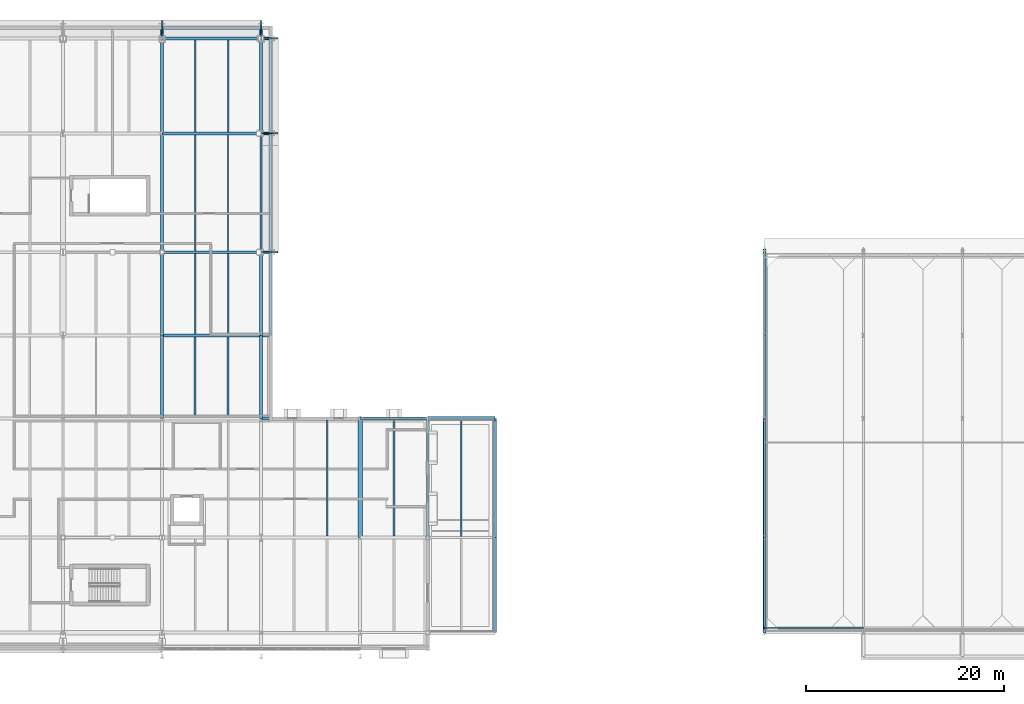
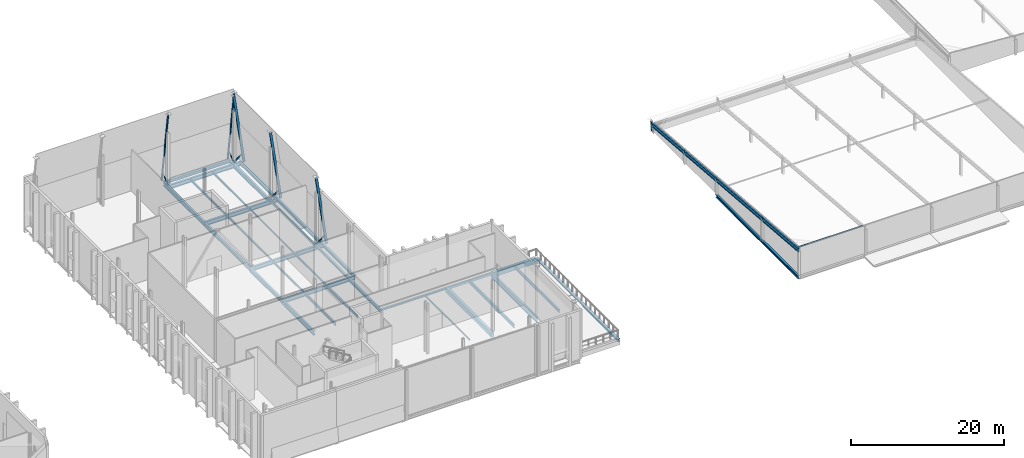
# One storey, part 36 of 79: 40 beams, 12 members.
"""IFC4 building model written with IfcOpenShell, lengths in metres."""

import ifcopenshell
import ifcopenshell.guid

model = None  # the IFC model being written
_history = None  # IfcOwnerHistory: only IFC2X3 demands one
_inside = {}  # id of a spatial element -> (the spatial element, [elements in it])
_under = {}  # id of a project, library or spatial element -> (it, [spatial elements below it])
_declared = {}  # id of a project -> (the project, [libraries it declares])
_typed = {}  # id of a type object -> (the type object, [elements of that type])
_made_of = {}  # id of a material, layer set ... -> (it, [elements and type objects made of it])


def new_model(schema):
    """Start an empty IFC model of exactly this schema.

    Asked for "IFC4X3", IfcOpenShell would pick the latest addendum, in which some entities
    have other attributes; the version numbers below select the first issue.
    IFC2X3 requires an IfcOwnerHistory on every rooted entity: one is made here for all.
    """
    global model, _history
    if schema == "IFC4X3":
        model = ifcopenshell.file(schema_version=(4, 3, 0, 0))
    else:
        model = ifcopenshell.file(schema=schema)
    _inside.clear()
    _under.clear()
    _declared.clear()
    _typed.clear()
    _made_of.clear()
    _history = None
    if model.schema == "IFC2X3":
        org = make("IfcOrganization", Name="unknown")
        user = make(
            "IfcPersonAndOrganization",
            ThePerson=make("IfcPerson", FamilyName="unknown"),
            TheOrganization=org,
        )
        app = make(
            "IfcApplication",
            ApplicationDeveloper=org,
            Version="unknown",
            ApplicationFullName="unknown",
            ApplicationIdentifier="unknown",
        )
        _history = make(
            "IfcOwnerHistory",
            OwningUser=user,
            OwningApplication=app,
            ChangeAction="ADDED",
            CreationDate=0,
        )
    return model


def make(cls, **values):
    """One entity of the class cls with the attributes given. An attribute that is None is left unset."""
    return model.create_entity(
        cls, **{name: value for name, value in values.items() if value is not None}
    )


def rooted(cls, **values):
    """An entity with a GlobalId (a new one), such as an element, a storey or a relation."""
    return make(cls, GlobalId=ifcopenshell.guid.new(), OwnerHistory=_history, **values)


def si_unit(unit_type, name, prefix=None):
    """IfcSIUnit, for example si_unit("LENGTHUNIT", "METRE", prefix="MILLI")."""
    return make("IfcSIUnit", UnitType=unit_type, Prefix=prefix, Name=name)


def assignment(units):
    """IfcUnitAssignment: the units of a project."""
    return None if units is None else make("IfcUnitAssignment", Units=units)


def point(xyz):
    """IfcCartesianPoint."""
    return None if xyz is None else make("IfcCartesianPoint", Coordinates=xyz)


def direction(xyz):
    """IfcDirection."""
    return None if xyz is None else make("IfcDirection", DirectionRatios=xyz)


def frame(location, z_axis=None, x_axis=None):
    """IfcAxis2Placement3D, a coordinate frame: its origin and axes. An axis left out is left unset."""
    return make(
        "IfcAxis2Placement3D",
        Location=point(location),
        Axis=direction(z_axis),
        RefDirection=direction(x_axis),
    )


def frame_2d(location, x_axis=None):
    """IfcAxis2Placement2D, a coordinate frame in the plane: its origin and x axis."""
    return make(
        "IfcAxis2Placement2D", Location=point(location), RefDirection=direction(x_axis)
    )


def origin():
    """The frame at (0, 0, 0) with its axes left unset."""
    return frame((0.0, 0.0, 0.0))


def origin_2d():
    """The frame at (0, 0) in the plane with its x axis left unset."""
    return frame_2d((0.0, 0.0))


def place(relative_to, where):
    """IfcLocalPlacement: puts the frame where relative to a parent placement (None: the world)."""
    return make(
        "IfcLocalPlacement", PlacementRelTo=relative_to, RelativePlacement=where
    )


def context(
    kind, dimensions, precision=None, world=None, true_north=None, identifier=None
):
    """IfcGeometricRepresentationContext, for example the 3D "Model" context."""
    return make(
        "IfcGeometricRepresentationContext",
        ContextIdentifier=identifier,
        ContextType=kind,
        CoordinateSpaceDimension=dimensions,
        Precision=precision,
        WorldCoordinateSystem=world,
        TrueNorth=true_north,
    )


def subcontext(parent, identifier, kind, view, scale=None):
    """IfcGeometricRepresentationSubContext, for example "Body" below "Model"."""
    return make(
        "IfcGeometricRepresentationSubContext",
        ContextIdentifier=identifier,
        ContextType=kind,
        ParentContext=parent,
        TargetScale=scale,
        TargetView=view,
    )


def project(units=None, contexts=None):
    """IfcProject with its units and contexts."""
    return rooted(
        "IfcProject",
        Name="project",
        RepresentationContexts=contexts,
        UnitsInContext=assignment(units),
    )


def spatial(cls, under=None, at=None, **own):
    """A site, building, storey or space (cls), placed at a placement, below another one or the project."""
    s = rooted(cls, ObjectPlacement=at, **own)
    if under is not None:
        _under.setdefault(under.id(), (under, []))[1].append(s)
    return s


def profile(cls, at=None, kind="AREA", **sizes):
    """A parametric profile (cls). Its sizes go by their IFC names, for example OverallWidth=200.0."""
    return make(cls, ProfileType=kind, Position=at, **sizes)


def rectangle(**sizes):
    """IfcRectangleProfileDef."""
    return profile("IfcRectangleProfileDef", **sizes)


def hollow_rectangle(**sizes):
    """IfcRectangleHollowProfileDef."""
    return profile("IfcRectangleHollowProfileDef", **sizes)


def i_section(**sizes):
    """IfcIShapeProfileDef."""
    return profile("IfcIShapeProfileDef", **sizes)


def extrude(swept, where, along, depth):
    """IfcExtrudedAreaSolid: the profile swept, set in the frame where, extruded along a direction by depth."""
    return make(
        "IfcExtrudedAreaSolid",
        SweptArea=swept,
        Position=where,
        ExtrudedDirection=direction(along),
        Depth=depth,
    )


def shape(context_of_items, identifier, shape_type, items):
    """IfcShapeRepresentation: the items that make up one representation, for example the "Body"."""
    return make(
        "IfcShapeRepresentation",
        ContextOfItems=context_of_items,
        RepresentationIdentifier=identifier,
        RepresentationType=shape_type,
        Items=items,
    )


def material(Name=None, Category=None):
    """IfcMaterial."""
    return make("IfcMaterial", Name=Name, Category=Category)


def material_profile(
    of_material, cross_section, Name=None, Category=None, Priority=None
):
    """IfcMaterialProfile: a cross section and its material."""
    return make(
        "IfcMaterialProfile",
        Name=Name,
        Material=of_material,
        Profile=cross_section,
        Priority=Priority,
        Category=Category,
    )


def profile_set(profiles, Name=None, composite=None):
    """IfcMaterialProfileSet."""
    return make(
        "IfcMaterialProfileSet",
        Name=Name,
        MaterialProfiles=profiles,
        CompositeProfile=composite,
    )


def made_of(thing, what):
    """Note that an element or type object is made of a material, layer set ...; save() writes the relation."""
    if what is not None:
        _made_of.setdefault(what.id(), (what, []))[1].append(thing)
    return thing


def type_object(cls, material=None, **own):
    """A type object (cls), such as IfcWallType, which elements share."""
    return made_of(rooted(cls, **own), material)


def element(
    cls,
    number,
    at=None,
    inside=None,
    cuts=None,
    type_object=None,
    material=None,
    context=None,
    identifier="Body",
    shape_type=None,
    held_by="IfcProductDefinitionShape",
    body=None,
    shapes=None,
    **own,
):
    """One element of the class cls, such as IfcWall. Its Tag is "e" and its number.

    at: its placement. inside: the storey or other place that contains it. cuts: it is an
    opening in that element (IfcRelVoidsElement). A single representation is given by context,
    identifier, shape_type and body (its items); several are given by shapes. held_by: the class
    of the entity that holds the representations. save() writes the other relations.
    """
    e = rooted(cls, Tag="e%d" % number, ObjectPlacement=at, **own)
    if body is not None:
        shapes = [shape(context, identifier, shape_type, body)]
    if shapes is not None:
        e.Representation = make(held_by, Representations=shapes)
    if inside is not None:
        _inside.setdefault(inside.id(), (inside, []))[1].append(e)
    if cuts is not None:
        rooted(
            "IfcRelVoidsElement", RelatingBuildingElement=cuts, RelatedOpeningElement=e
        )
    if type_object is not None:
        _typed.setdefault(type_object.id(), (type_object, []))[1].append(e)
    return made_of(e, material)


def aggregate(whole, parts):
    """IfcRelAggregates: a whole, such as a stair, and the parts it consists of."""
    return rooted("IfcRelAggregates", RelatingObject=whole, RelatedObjects=parts)


def save(model, path):
    """Write the relations noted so far, then the file.

    IfcRelAggregates (storeys below a building ...), IfcRelContainedInSpatialStructure (elements
    in a storey), IfcRelDefinesByType, IfcRelAssociatesMaterial and IfcRelDeclares: one each for
    every whole, place, type object, material and project.
    """
    for whole, parts in _under.values():
        aggregate(whole, parts)
    for where, things in _inside.values():
        rooted(
            "IfcRelContainedInSpatialStructure",
            RelatedElements=things,
            RelatingStructure=where,
        )
    for kind, things in _typed.values():
        rooted("IfcRelDefinesByType", RelatedObjects=things, RelatingType=kind)
    for what, things in _made_of.values():
        rooted("IfcRelAssociatesMaterial", RelatedObjects=things, RelatingMaterial=what)
    for by, libraries in _declared.values():
        rooted("IfcRelDeclares", RelatingContext=by, RelatedDefinitions=libraries)
    model.write(path)


model = new_model("IFC4")

# Units and contexts
model_context = context("Model", 3, precision=1e-05, world=origin(), true_north=direction((0.0, 1.0)))
body_context = subcontext(model_context, "Body", "Model", "MODEL_VIEW")
ifc_project = project(units=[si_unit("LENGTHUNIT", "METRE"), si_unit("AREAUNIT", "SQUARE_METRE"), si_unit("VOLUMEUNIT", "CUBIC_METRE"), si_unit("PLANEANGLEUNIT", "RADIAN"), si_unit("MASSUNIT", "GRAM", prefix="KILO")], contexts=[model_context])

# Site, building, storey
site_placement = place(None, origin())
site = spatial("IfcSite", under=ifc_project, at=site_placement, CompositionType="ELEMENT")
building_placement = place(site_placement, origin())
building = spatial("IfcBuilding", under=site, at=building_placement, Name="Zereglee Splitstone Museum", CompositionType="ELEMENT")
storey_placement = place(building_placement, frame((0.0, 0.0, 9.0)))
storey = spatial("IfcBuildingStorey", under=building, at=storey_placement, Name="L02", CompositionType="ELEMENT", Elevation=9.0)

# Beams
ifc_material_1 = material(Name="Concrete C40/50", Category="concrete")
ifc_material_profile_1 = material_profile(ifc_material_1, rectangle(XDim=0.449951171875, YDim=0.699951171875, at=origin_2d()), Name="RC 450x700")
ifc_profile_set_1 = profile_set([ifc_material_profile_1], Name="Concrete C40/50")
beam_type_1 = type_object("IfcBeamType", Name="BG-03", PredefinedType="BEAM", material=ifc_profile_set_1)
beam_1_placement = place(storey_placement, frame((215.199951171875, 9.60009765625, -0.669921875), z_axis=(0.0, 1.0, 0.0), x_axis=(-1.0, 0.0, 0.0)))
element("IfcBeam", 1, at=beam_1_placement, inside=storey, type_object=beam_type_1, Name="Primary Girder L02 24 (9.6-21.6)", PredefinedType="BEAM", context=body_context, shape_type="SweptSolid", body=[
    extrude(rectangle(XDim=0.449951171875, YDim=0.699951171875, at=origin_2d()), origin(), (0.0, 0.0, 1.0), 12.0),
])
ifc_material_2 = material(Name="Steel S355J2", Category="steel")
ifc_material_profile_2 = material_profile(ifc_material_2, i_section(OverallWidth=0.300048828125, OverallDepth=0.60009765625, WebThickness=0.015380859375, FlangeThickness=0.030029296875, FilletRadius=0.027099609375, at=origin_2d()), Name="HE 600 B")
ifc_profile_set_2 = profile_set([ifc_material_profile_2], Name="Steel S355J2")
beam_type_2 = type_object("IfcBeamType", Name="BG-10", PredefinedType="BEAM", material=ifc_profile_set_2)
beam_2_placement = place(storey_placement, frame((195.199951171875, 38.39990234375, -0.6201171875), z_axis=(0.0, 1.0, 0.0), x_axis=(-1.0, 0.0, 0.0)))
element("IfcBeam", 2, at=beam_2_placement, inside=storey, type_object=beam_type_2, Name="Primary Girder L02 22 (38.4-50.4)", PredefinedType="BEAM", context=body_context, shape_type="SweptSolid", body=[
    extrude(i_section(OverallWidth=0.300048828125, OverallDepth=0.60009765625, WebThickness=0.015380859375, FlangeThickness=0.030029296875, FilletRadius=0.027099609375, at=origin_2d()), origin(), (0.0, 0.0, 1.0), 12.0),
])
ifc_material_profile_3 = material_profile(ifc_material_2, i_section(OverallWidth=0.300048828125, OverallDepth=0.64990234375, WebThickness=0.01611328125, FlangeThickness=0.031005859375, FilletRadius=0.027099609375, at=origin_2d()), Name="HE 650 B")
ifc_profile_set_3 = profile_set([ifc_material_profile_3], Name="Steel S355J2")
beam_type_3 = type_object("IfcBeamType", Name="BG-09", PredefinedType="BEAM", material=ifc_profile_set_3)
for number, where, z_axis, x_axis, name in (
    (3, (195.199951171875, 30.0, -0.64501953125), (1.0, 0.0, 0.0), (0.0, 1.0, 0.0), "Primary Girder L02 D (195.2-206.2)"),
    (4, (195.199951171875, 38.39990234375, -0.64501953125), (1.0, 0.0, 0.0), (0.0, 1.0, 0.0), "Primary Girder L02 E (195.2-206.2)"),
    (5, (195.199951171875, 50.39990234375, -0.64501953125), (1.0, 0.0, 0.0), (0.0, 1.0, 0.0), "Primary Girder L02 F (195.2-206.2)"),
    (6, (195.199951171875, 60.0, -0.64501953125), (1.0, 0.0, 0.0), (0.0, 1.0, 0.0), "Primary Girder L02 G (195.2-206.2)"),
):
    element("IfcBeam", number, at=place(storey_placement, frame(where, z_axis=z_axis, x_axis=x_axis)), inside=storey, type_object=beam_type_3, Name=name, PredefinedType="BEAM", context=body_context, shape_type="SweptSolid", body=[
        extrude(i_section(OverallWidth=0.300048828125, OverallDepth=0.64990234375, WebThickness=0.01611328125, FlangeThickness=0.031005859375, FilletRadius=0.027099609375, at=origin_2d()), origin(), (0.0, 0.0, 1.0), 10.949951171875),
    ])
beam_3_placement = place(storey_placement, frame((195.199951171875, 30.0, -0.64501953125), z_axis=(0.0, 1.0, 0.0), x_axis=(-1.0, 0.0, 0.0)))
element("IfcBeam", 7, at=beam_3_placement, inside=storey, type_object=beam_type_3, Name="Primary Girder L02 22 (30.0-38.4)", PredefinedType="BEAM", context=body_context, shape_type="SweptSolid", body=[
    extrude(i_section(OverallWidth=0.300048828125, OverallDepth=0.64990234375, WebThickness=0.01611328125, FlangeThickness=0.031005859375, FilletRadius=0.027099609375, at=origin_2d()), origin(), (0.0, 0.0, 1.0), 8.39990234375),
])
for number, where, z_axis, x_axis, name in (
    (8, (195.199951171875, 50.39990234375, -0.64501953125), (0.0, 1.0, 0.0), (-1.0, 0.0, 0.0), "Primary Girder L02 22 (50.4-61.0)"),
    (9, (205.199951171875, 50.39990234375, -0.64501953125), (0.0, 1.0, 0.0), (-1.0, 0.0, 0.0), "Primary Girder L02 23 (50.4-61.0)"),
):
    element("IfcBeam", number, at=place(storey_placement, frame(where, z_axis=z_axis, x_axis=x_axis)), inside=storey, type_object=beam_type_3, Name=name, PredefinedType="BEAM", context=body_context, shape_type="SweptSolid", body=[
        extrude(i_section(OverallWidth=0.300048828125, OverallDepth=0.64990234375, WebThickness=0.01611328125, FlangeThickness=0.031005859375, FilletRadius=0.027099609375, at=origin_2d()), origin(), (0.0, 0.0, 1.0), 10.650146484375),
    ])
ifc_material_profile_4 = material_profile(ifc_material_2, i_section(OverallWidth=0.300048828125, OverallDepth=0.699951171875, WebThickness=0.01708984375, FlangeThickness=0.031982421875, FilletRadius=0.027099609375, at=origin_2d()), Name="HE 700 B")
ifc_profile_set_4 = profile_set([ifc_material_profile_4], Name="Steel S355J2")
beam_type_4 = type_object("IfcBeamType", Name="BG-08", PredefinedType="BEAM", material=ifc_profile_set_4)
beam_4_placement = place(storey_placement, frame((195.199951171875, 21.60009765625, -0.669921875), z_axis=(0.0, 1.0, 0.0), x_axis=(-1.0, 0.0, 0.0)))
element("IfcBeam", 10, at=beam_4_placement, inside=storey, type_object=beam_type_4, Name="Primary Girder L02 22 (21.6-30.0)", PredefinedType="BEAM", context=body_context, shape_type="SweptSolid", body=[
    extrude(i_section(OverallWidth=0.300048828125, OverallDepth=0.699951171875, WebThickness=0.01708984375, FlangeThickness=0.031982421875, FilletRadius=0.027099609375, at=origin_2d()), origin(), (0.0, 0.0, 1.0), 8.39990234375),
])
ifc_material_profile_5 = material_profile(ifc_material_2, i_section(OverallWidth=0.300048828125, OverallDepth=0.800048828125, WebThickness=0.017578125, FlangeThickness=0.032958984375, FilletRadius=0.030029296875, at=origin_2d()), Name="HE 800 B")
ifc_profile_set_5 = profile_set([ifc_material_profile_5], Name="Steel S355J2")
beam_type_5 = type_object("IfcBeamType", Name="BG-07", PredefinedType="BEAM", material=ifc_profile_set_5)
beam_5_placement = place(storey_placement, frame((222.0, 9.60009765625, -0.719970703125), z_axis=(0.0, 1.0, 0.0), x_axis=(-1.0, 0.0, 0.0)))
element("IfcBeam", 11, at=beam_5_placement, inside=storey, type_object=beam_type_5, Name="Primary Girder L02 25 (9.6-21.6)", PredefinedType="BEAM", context=body_context, shape_type="SweptSolid", body=[
    extrude(i_section(OverallWidth=0.300048828125, OverallDepth=0.800048828125, WebThickness=0.017578125, FlangeThickness=0.032958984375, FilletRadius=0.030029296875, at=origin_2d()), origin(), (0.0, 0.0, 1.0), 12.0),
])
ifc_material_profile_6 = material_profile(ifc_material_2, i_section(OverallWidth=0.1201171875, OverallDepth=0.239990234375, WebThickness=0.006103515625, FlangeThickness=0.009765625, FilletRadius=0.014892578125, at=origin_2d()), Name="IPE 240")
ifc_profile_set_6 = profile_set([ifc_material_profile_6], Name="Steel S355J2")
beam_type_6 = type_object("IfcBeamType", Name="BJ-07", PredefinedType="JOIST", material=ifc_profile_set_6)
beam_6_placement = place(storey_placement, frame((211.86669921875, 9.75, -0.43994140625), z_axis=(0.0, 1.0, 0.0), x_axis=(-1.0, 0.0, 0.0)))
element("IfcBeam", 12, at=beam_6_placement, inside=storey, type_object=beam_type_6, Name="Secondary Floor Joist L02-1070", PredefinedType="JOIST", context=body_context, shape_type="SweptSolid", body=[
    extrude(i_section(OverallWidth=0.1201171875, OverallDepth=0.239990234375, WebThickness=0.006103515625, FlangeThickness=0.009765625, FilletRadius=0.014892578125, at=origin_2d()), origin(), (0.0, 0.0, 1.0), 11.7099609375),
])
beam_7_placement = place(storey_placement, frame((201.86669921875, 38.550048828125, -0.43994140625), z_axis=(0.0, 1.0, 0.0), x_axis=(-1.0, 0.0, 0.0)))
element("IfcBeam", 13, at=beam_7_placement, inside=storey, type_object=beam_type_6, Name="Secondary Floor Joist L02-1133", PredefinedType="JOIST", context=body_context, shape_type="SweptSolid", body=[
    extrude(i_section(OverallWidth=0.1201171875, OverallDepth=0.239990234375, WebThickness=0.006103515625, FlangeThickness=0.009765625, FilletRadius=0.014892578125, at=origin_2d()), origin(), (0.0, 0.0, 1.0), 11.699951171875),
])
ifc_material_profile_7 = material_profile(ifc_material_2, i_section(OverallWidth=0.14990234375, OverallDepth=0.300048828125, WebThickness=0.007080078125, FlangeThickness=0.0107421875, FilletRadius=0.014892578125, at=origin_2d()), Name="IPE 300")
ifc_profile_set_7 = profile_set([ifc_material_profile_7], Name="Steel S355J2")
beam_type_7 = type_object("IfcBeamType", Name="BJ-06", PredefinedType="JOIST", material=ifc_profile_set_7)
beam_8_placement = place(storey_placement, frame((201.86669921875, 30.14990234375, -0.469970703125), z_axis=(0.0, 1.0, 0.0), x_axis=(-1.0, 0.0, 0.0)))
element("IfcBeam", 14, at=beam_8_placement, inside=storey, type_object=beam_type_7, Name="Secondary Floor Joist L02-1118", PredefinedType="JOIST", context=body_context, shape_type="SweptSolid", body=[
    extrude(i_section(OverallWidth=0.14990234375, OverallDepth=0.300048828125, WebThickness=0.007080078125, FlangeThickness=0.0107421875, FilletRadius=0.014892578125, at=origin_2d()), origin(), (0.0, 0.0, 1.0), 8.10009765625),
])
beam_9_placement = place(storey_placement, frame((198.533203125, 38.550048828125, -0.469970703125), z_axis=(0.0, 1.0, 0.0), x_axis=(-1.0, 0.0, 0.0)))
element("IfcBeam", 15, at=beam_9_placement, inside=storey, type_object=beam_type_7, Name="Secondary Floor Joist L02-1132", PredefinedType="JOIST", context=body_context, shape_type="SweptSolid", body=[
    extrude(i_section(OverallWidth=0.14990234375, OverallDepth=0.300048828125, WebThickness=0.007080078125, FlangeThickness=0.0107421875, FilletRadius=0.014892578125, at=origin_2d()), origin(), (0.0, 0.0, 1.0), 11.699951171875),
])
beam_10_placement = place(storey_placement, frame((201.86669921875, 50.550048828125, -0.469970703125), z_axis=(0.0, 1.0, 0.0), x_axis=(-1.0, 0.0, 0.0)))
element("IfcBeam", 16, at=beam_10_placement, inside=storey, type_object=beam_type_7, Name="Secondary Floor Joist L02-1139", PredefinedType="JOIST", context=body_context, shape_type="SweptSolid", body=[
    extrude(i_section(OverallWidth=0.14990234375, OverallDepth=0.300048828125, WebThickness=0.007080078125, FlangeThickness=0.0107421875, FilletRadius=0.014892578125, at=origin_2d()), origin(), (0.0, 0.0, 1.0), 9.300048828125),
])
ifc_material_profile_8 = material_profile(ifc_material_2, i_section(OverallWidth=0.159912109375, OverallDepth=0.330078125, WebThickness=0.007568359375, FlangeThickness=0.011474609375, FilletRadius=0.01806640625, at=origin_2d()), Name="IPE 330")
ifc_profile_set_8 = profile_set([ifc_material_profile_8], Name="Steel S355J2")
beam_type_8 = type_object("IfcBeamType", Name="BJ-05", PredefinedType="JOIST", material=ifc_profile_set_8)
beam_11_placement = place(storey_placement, frame((198.533203125, 30.14990234375, -0.485107421875), z_axis=(0.0, 1.0, 0.0), x_axis=(-1.0, 0.0, 0.0)))
element("IfcBeam", 17, at=beam_11_placement, inside=storey, type_object=beam_type_8, Name="Secondary Floor Joist L02-1117", PredefinedType="JOIST", context=body_context, shape_type="SweptSolid", body=[
    extrude(i_section(OverallWidth=0.159912109375, OverallDepth=0.330078125, WebThickness=0.007568359375, FlangeThickness=0.011474609375, FilletRadius=0.01806640625, at=origin_2d()), origin(), (0.0, 0.0, 1.0), 8.10009765625),
])
beam_12_placement = place(storey_placement, frame((198.533203125, 50.550048828125, -0.485107421875), z_axis=(0.0, 1.0, 0.0), x_axis=(-1.0, 0.0, 0.0)))
element("IfcBeam", 18, at=beam_12_placement, inside=storey, type_object=beam_type_8, Name="Secondary Floor Joist L02-1138", PredefinedType="JOIST", context=body_context, shape_type="SweptSolid", body=[
    extrude(i_section(OverallWidth=0.159912109375, OverallDepth=0.330078125, WebThickness=0.007568359375, FlangeThickness=0.011474609375, FilletRadius=0.01806640625, at=origin_2d()), origin(), (0.0, 0.0, 1.0), 9.300048828125),
])
ifc_material_profile_9 = material_profile(ifc_material_2, i_section(OverallWidth=0.179931640625, OverallDepth=0.39990234375, WebThickness=0.008544921875, FlangeThickness=0.013427734375, FilletRadius=0.02099609375, at=origin_2d()), Name="IPE 400")
ifc_profile_set_9 = profile_set([ifc_material_profile_9], Name="Steel S355J2")
beam_type_9 = type_object("IfcBeamType", Name="BJ-03", PredefinedType="JOIST", material=ifc_profile_set_9)
beam_13_placement = place(storey_placement, frame((201.86669921875, 21.75, -0.52001953125), z_axis=(0.0, 1.0, 0.0), x_axis=(-1.0, 0.0, 0.0)))
element("IfcBeam", 19, at=beam_13_placement, inside=storey, type_object=beam_type_9, Name="Secondary Floor Joist L02-1094", PredefinedType="JOIST", context=body_context, shape_type="SweptSolid", body=[
    extrude(i_section(OverallWidth=0.179931640625, OverallDepth=0.39990234375, WebThickness=0.008544921875, FlangeThickness=0.013427734375, FilletRadius=0.02099609375, at=origin_2d()), origin(), (0.0, 0.0, 1.0), 8.10009765625),
])
ifc_material_profile_10 = material_profile(ifc_material_2, i_section(OverallWidth=0.18994140625, OverallDepth=0.449951171875, WebThickness=0.009521484375, FlangeThickness=0.0146484375, FilletRadius=0.02099609375, at=origin_2d()), Name="IPE 450")
ifc_profile_set_10 = profile_set([ifc_material_profile_10], Name="Steel S355J2")
beam_type_10 = type_object("IfcBeamType", Name="BJ-02", PredefinedType="JOIST", material=ifc_profile_set_10)
beam_14_placement = place(storey_placement, frame((225.39990234375, 9.705078125, -0.544921875), z_axis=(0.0, 1.0, 0.0), x_axis=(-1.0, 0.0, 0.0)))
element("IfcBeam", 20, at=beam_14_placement, inside=storey, type_object=beam_type_10, Name="Secondary Floor Joist L02-1072", PredefinedType="JOIST", context=body_context, shape_type="SweptSolid", body=[
    extrude(i_section(OverallWidth=0.18994140625, OverallDepth=0.449951171875, WebThickness=0.009521484375, FlangeThickness=0.0146484375, FilletRadius=0.02099609375, at=origin_2d()), origin(), (0.0, 0.0, 1.0), 11.669921875),
])
beam_15_placement = place(storey_placement, frame((198.533203125, 21.75, -0.544921875), z_axis=(0.0, 1.0, 0.0), x_axis=(-1.0, 0.0, 0.0)))
element("IfcBeam", 21, at=beam_15_placement, inside=storey, type_object=beam_type_10, Name="Secondary Floor Joist L02-1093", PredefinedType="JOIST", context=body_context, shape_type="SweptSolid", body=[
    extrude(i_section(OverallWidth=0.18994140625, OverallDepth=0.449951171875, WebThickness=0.009521484375, FlangeThickness=0.0146484375, FilletRadius=0.02099609375, at=origin_2d()), origin(), (0.0, 0.0, 1.0), 8.10009765625),
])
ifc_material_profile_11 = material_profile(ifc_material_2, i_section(OverallWidth=0.199951171875, OverallDepth=0.5, WebThickness=0.01025390625, FlangeThickness=0.01611328125, FilletRadius=0.02099609375, at=origin_2d()), Name="IPE 500")
ifc_profile_set_11 = profile_set([ifc_material_profile_11], Name="Steel S355J2")
beam_type_11 = type_object("IfcBeamType", Name="BJ-01", PredefinedType="JOIST", material=ifc_profile_set_11)
beam_16_placement = place(storey_placement, frame((218.60009765625, 9.75, -0.570068359375), z_axis=(0.0, 1.0, 0.0), x_axis=(-1.0, 0.0, 0.0)))
element("IfcBeam", 22, at=beam_16_placement, inside=storey, type_object=beam_type_11, Name="Secondary Floor Joist L02-1071", PredefinedType="JOIST", context=body_context, shape_type="SweptSolid", body=[
    extrude(i_section(OverallWidth=0.199951171875, OverallDepth=0.5, WebThickness=0.01025390625, FlangeThickness=0.01611328125, FilletRadius=0.02099609375, at=origin_2d()), origin(), (0.0, 0.0, 1.0), 11.75),
])

# Member
ifc_material_profile_12 = material_profile(ifc_material_2, i_section(OverallWidth=0.110107421875, OverallDepth=0.219970703125, WebThickness=0.005859375, FlangeThickness=0.00927734375, FilletRadius=0.011962890625, at=origin_2d()), Name="IPE 220")
ifc_profile_set_12 = profile_set([ifc_material_profile_12], Name="Steel S355J2")
member_type_1 = type_object("IfcMemberType", Name="PR-04", PredefinedType="PURLIN", material=ifc_profile_set_12)
member_1_placement = place(storey_placement, frame((256.0, 0.5, 4.513427734375), z_axis=(1.0, 0.0, 0.0), x_axis=(0.0, 1.0, 0.0)))
element("IfcMember", 23, at=member_1_placement, inside=storey, type_object=member_type_1, Name="Roof Purlin RF-V5 (256.0-266.0)", PredefinedType="PURLIN", context=body_context, shape_type="SweptSolid", body=[
    extrude(i_section(OverallWidth=0.110107421875, OverallDepth=0.219970703125, WebThickness=0.005859375, FlangeThickness=0.00927734375, FilletRadius=0.011962890625, at=origin_2d()), origin(), (0.0, 0.0, 1.0), 10.0),
])

# Beams
ifc_material_profile_13 = material_profile(ifc_material_2, i_section(OverallWidth=0.219970703125, OverallDepth=0.60009765625, WebThickness=0.011962890625, FlangeThickness=0.01904296875, FilletRadius=0.02392578125, at=origin_2d()), Name="IPE 600")
ifc_profile_set_13 = profile_set([ifc_material_profile_13], Name="Steel S355J2")
beam_type_12 = type_object("IfcBeamType", Name="RR-01", PredefinedType="BEAM", material=ifc_profile_set_13)
beam_17_placement = place(storey_placement, frame((256.0, 0.0, 4.368408203125), z_axis=(0.0, 0.996545408675, -0.08304967459), x_axis=(-1.0, 0.0, 0.0)))
element("IfcBeam", 24, at=beam_17_placement, inside=storey, type_object=beam_type_12, Name="Sloped Roof Girder RF-V5 X=256.0 (0.0-9.6)", PredefinedType="BEAM", context=body_context, shape_type="SweptSolid", body=[
    extrude(i_section(OverallWidth=0.219970703125, OverallDepth=0.60009765625, WebThickness=0.011962890625, FlangeThickness=0.01904296875, FilletRadius=0.02392578125, at=origin_2d()), origin(), (0.0, 0.0, 1.0), 9.63330078125),
])
beam_18_placement = place(storey_placement, frame((256.0, 9.60009765625, 3.568359375), z_axis=(0.0, 0.996545758245, -0.083045479854), x_axis=(-1.0, 0.0, 0.0)))
element("IfcBeam", 25, at=beam_18_placement, inside=storey, type_object=beam_type_12, Name="Sloped Roof Girder RF-V5 X=256.0 (9.6-21.6)", PredefinedType="BEAM", context=body_context, shape_type="SweptSolid", body=[
    extrude(i_section(OverallWidth=0.219970703125, OverallDepth=0.60009765625, WebThickness=0.011962890625, FlangeThickness=0.01904296875, FilletRadius=0.02392578125, at=origin_2d()), origin(), (0.0, 0.0, 1.0), 12.04150390625),
])
for number, where, z_axis, x_axis, name in (
    (26, (256.0, 21.60009765625, 2.568359375), (0.0, 0.996546157741, -0.08304068576), (-1.0, 0.0, 0.0), "Sloped Roof Girder RF-V5 X=256.0 (21.6-30.0)"),
    (27, (256.0, 30.0, 1.868408203125), (0.0, 0.996546157741, -0.08304068576), (-1.0, 0.0, 0.0), "Sloped Roof Girder RF-V5 X=256.0 (30.0-38.4)"),
):
    element("IfcBeam", number, at=place(storey_placement, frame(where, z_axis=z_axis, x_axis=x_axis)), inside=storey, type_object=beam_type_12, Name=name, PredefinedType="BEAM", context=body_context, shape_type="SweptSolid", body=[
        extrude(i_section(OverallWidth=0.219970703125, OverallDepth=0.60009765625, WebThickness=0.011962890625, FlangeThickness=0.01904296875, FilletRadius=0.02392578125, at=origin_2d()), origin(), (0.0, 0.0, 1.0), 8.428955078125),
    ])
ifc_material_profile_14 = material_profile(ifc_material_2, i_section(OverallWidth=0.280029296875, OverallDepth=0.280029296875, WebThickness=0.010498046875, FlangeThickness=0.01806640625, FilletRadius=0.02392578125, at=origin_2d()), Name="HE 280 B")
ifc_profile_set_14 = profile_set([ifc_material_profile_14], Name="Steel S355J2")
beam_type_13 = type_object("IfcBeamType", Name="SP-03", PredefinedType="SPANDREL", material=ifc_profile_set_14)
beam_19_placement = place(storey_placement, frame((205.199951171875, 21.60009765625, -0.4599609375), z_axis=(1.0, 0.0, 0.0), x_axis=(0.0, 1.0, 0.0)))
element("IfcBeam", 28, at=beam_19_placement, inside=storey, type_object=beam_type_13, Name="Primary Girder L02 C (205.2-215.2)", PredefinedType="SPANDREL", context=body_context, shape_type="SweptSolid", body=[
    extrude(i_section(OverallWidth=0.280029296875, OverallDepth=0.280029296875, WebThickness=0.010498046875, FlangeThickness=0.01806640625, FilletRadius=0.02392578125, at=origin_2d()), origin(), (0.0, 0.0, 1.0), 10.0),
])
beam_20_placement = place(storey_placement, frame((205.199951171875, 30.0, -0.4599609375), z_axis=(0.0, 1.0, 0.0), x_axis=(-1.0, 0.0, 0.0)))
element("IfcBeam", 29, at=beam_20_placement, inside=storey, type_object=beam_type_13, Name="Primary Girder L02 23 (30.0-38.4)", PredefinedType="SPANDREL", context=body_context, shape_type="SweptSolid", body=[
    extrude(i_section(OverallWidth=0.280029296875, OverallDepth=0.280029296875, WebThickness=0.010498046875, FlangeThickness=0.01806640625, FilletRadius=0.02392578125, at=origin_2d()), origin(), (0.0, 0.0, 1.0), 8.39990234375),
])
beam_21_placement = place(storey_placement, frame((228.800048828125, 9.60009765625, -0.4599609375), z_axis=(0.0, 1.0, 0.0), x_axis=(-1.0, 0.0, 0.0)))
element("IfcBeam", 30, at=beam_21_placement, inside=storey, type_object=beam_type_13, Name="Primary Girder L02 26 (9.6-21.6)", PredefinedType="SPANDREL", context=body_context, shape_type="SweptSolid", body=[
    extrude(i_section(OverallWidth=0.280029296875, OverallDepth=0.280029296875, WebThickness=0.010498046875, FlangeThickness=0.01806640625, FilletRadius=0.02392578125, at=origin_2d()), origin(), (0.0, 0.0, 1.0), 12.0),
])
ifc_material_profile_15 = material_profile(ifc_material_2, i_section(OverallWidth=0.300048828125, OverallDepth=0.449951171875, WebThickness=0.013916015625, FlangeThickness=0.02587890625, FilletRadius=0.027099609375, at=origin_2d()), Name="HE 450 B")
ifc_profile_set_15 = profile_set([ifc_material_profile_15], Name="Steel S355J2")
beam_type_14 = type_object("IfcBeamType", Name="SP-02", PredefinedType="SPANDREL", material=ifc_profile_set_15)
beam_22_placement = place(storey_placement, frame((205.199951171875, 21.60009765625, -0.544921875), z_axis=(0.0, 1.0, 0.0), x_axis=(-1.0, 0.0, 0.0)))
element("IfcBeam", 31, at=beam_22_placement, inside=storey, type_object=beam_type_14, Name="Primary Girder L02 23 (21.6-30.0)", PredefinedType="SPANDREL", context=body_context, shape_type="SweptSolid", body=[
    extrude(i_section(OverallWidth=0.300048828125, OverallDepth=0.449951171875, WebThickness=0.013916015625, FlangeThickness=0.02587890625, FilletRadius=0.027099609375, at=origin_2d()), origin(), (0.0, 0.0, 1.0), 8.39990234375),
])
beam_23_placement = place(storey_placement, frame((228.800048828125, 0.0, -0.544921875), z_axis=(0.0, 1.0, 0.0), x_axis=(-1.0, 0.0, 0.0)))
element("IfcBeam", 32, at=beam_23_placement, inside=storey, type_object=beam_type_14, Name="Primary Girder L02 26 (0.0-9.6)", PredefinedType="SPANDREL", context=body_context, shape_type="SweptSolid", body=[
    extrude(i_section(OverallWidth=0.300048828125, OverallDepth=0.449951171875, WebThickness=0.013916015625, FlangeThickness=0.02587890625, FilletRadius=0.027099609375, at=origin_2d()), origin(), (0.0, 0.0, 1.0), 9.60009765625),
])
beam_24_placement = place(storey_placement, frame((195.199951171875, 61.050048828125, -0.544921875), z_axis=(1.0, 0.0, 0.0), x_axis=(0.0, 1.0, 0.0)))
element("IfcBeam", 33, at=beam_24_placement, inside=storey, type_object=beam_type_14, Name="Hovering Soffit Spandrel L02 (195.2-205.2)", PredefinedType="SPANDREL", context=body_context, shape_type="SweptSolid", body=[
    extrude(i_section(OverallWidth=0.300048828125, OverallDepth=0.449951171875, WebThickness=0.013916015625, FlangeThickness=0.02587890625, FilletRadius=0.027099609375, at=origin_2d()), origin(), (0.0, 0.0, 1.0), 10.0),
])
beam_25_placement = place(storey_placement, frame((206.14990234375, 30.0, -0.544921875), z_axis=(0.0, 1.0, 0.0), x_axis=(-1.0, 0.0, 0.0)))
element("IfcBeam", 34, at=beam_25_placement, inside=storey, type_object=beam_type_14, Name="Hovering Soffit Spandrel L02 Y=(30.0-38.4)", PredefinedType="SPANDREL", context=body_context, shape_type="SweptSolid", body=[
    extrude(i_section(OverallWidth=0.300048828125, OverallDepth=0.449951171875, WebThickness=0.013916015625, FlangeThickness=0.02587890625, FilletRadius=0.027099609375, at=origin_2d()), origin(), (0.0, 0.0, 1.0), 8.39990234375),
])
beam_26_placement = place(storey_placement, frame((206.14990234375, 38.39990234375, -0.544921875), z_axis=(0.0, 1.0, 0.0), x_axis=(-1.0, 0.0, 0.0)))
element("IfcBeam", 35, at=beam_26_placement, inside=storey, type_object=beam_type_14, Name="Hovering Soffit Spandrel L02 Y=(38.4-50.4)", PredefinedType="SPANDREL", context=body_context, shape_type="SweptSolid", body=[
    extrude(i_section(OverallWidth=0.300048828125, OverallDepth=0.449951171875, WebThickness=0.013916015625, FlangeThickness=0.02587890625, FilletRadius=0.027099609375, at=origin_2d()), origin(), (0.0, 0.0, 1.0), 12.0),
])
for number, where, z_axis, x_axis, name in (
    (36, (206.14990234375, 50.39990234375, -0.544921875), (0.0, 1.0, 0.0), (-1.0, 0.0, 0.0), "Hovering Soffit Spandrel L02 Y=(50.4-60.0)"),
    (37, (256.0, 0.0, 0.02001953125), (0.0, 1.0, 0.0), (-1.0, 0.0, 0.0), "Auditorium Side Double-Height Spandrel X=256"),
):
    element("IfcBeam", number, at=place(storey_placement, frame(where, z_axis=z_axis, x_axis=x_axis)), inside=storey, type_object=beam_type_14, Name=name, PredefinedType="SPANDREL", context=body_context, shape_type="SweptSolid", body=[
        extrude(i_section(OverallWidth=0.300048828125, OverallDepth=0.449951171875, WebThickness=0.013916015625, FlangeThickness=0.02587890625, FilletRadius=0.027099609375, at=origin_2d()), origin(), (0.0, 0.0, 1.0), 9.60009765625),
    ])
beam_27_placement = place(storey_placement, frame((256.0, 9.60009765625, 0.02001953125), z_axis=(0.0, 1.0, 0.0), x_axis=(-1.0, 0.0, 0.0)))
element("IfcBeam", 38, at=beam_27_placement, inside=storey, type_object=beam_type_14, Name="Auditorium Side Double-Height Spandrel X=256", PredefinedType="SPANDREL", context=body_context, shape_type="SweptSolid", body=[
    extrude(i_section(OverallWidth=0.300048828125, OverallDepth=0.449951171875, WebThickness=0.013916015625, FlangeThickness=0.02587890625, FilletRadius=0.027099609375, at=origin_2d()), origin(), (0.0, 0.0, 1.0), 12.0),
])
ifc_material_profile_16 = material_profile(ifc_material_1, rectangle(XDim=0.449951171875, YDim=0.75, at=origin_2d()), Name="RC 450x750")
ifc_profile_set_16 = profile_set([ifc_material_profile_16], Name="Concrete C40/50")
beam_type_15 = type_object("IfcBeamType", Name="SP-01", PredefinedType="SPANDREL", material=ifc_profile_set_16)
beam_28_placement = place(storey_placement, frame((222.0, 21.60009765625, -0.695068359375), z_axis=(1.0, 0.0, 0.0), x_axis=(0.0, 1.0, 0.0)))
element("IfcBeam", 39, at=beam_28_placement, inside=storey, type_object=beam_type_15, Name="Primary Girder L02 C (222.0-228.8)", PredefinedType="SPANDREL", context=body_context, shape_type="SweptSolid", body=[
    extrude(rectangle(XDim=0.449951171875, YDim=0.75, at=origin_2d()), origin(), (0.0, 0.0, 1.0), 6.800048828125),
])
ifc_material_3 = material(Name="Steel S355J2H", Category="steel")
ifc_material_profile_17 = material_profile(ifc_material_3, hollow_rectangle(XDim=0.199951171875, YDim=0.39990234375, WallThickness=0.01611328125, at=origin_2d()), Name="RHS 400x200x16")
ifc_profile_set_17 = profile_set([ifc_material_profile_17], Name="Steel S355J2H")
beam_type_16 = type_object("IfcBeamType", Name="SP-04", PredefinedType="SPANDREL", material=ifc_profile_set_17)
beam_29_placement = place(storey_placement, frame((215.199951171875, 21.60009765625, -0.52001953125), z_axis=(1.0, 0.0, 0.0), x_axis=(0.0, 1.0, 0.0)))
element("IfcBeam", 40, at=beam_29_placement, inside=storey, type_object=beam_type_16, Name="Primary Girder L02 C (215.2-222.0)", PredefinedType="SPANDREL", context=body_context, shape_type="SweptSolid", body=[
    extrude(hollow_rectangle(XDim=0.199951171875, YDim=0.39990234375, WallThickness=0.01611328125, at=origin_2d()), origin(), (0.0, 0.0, 1.0), 6.800048828125),
])
beam_30_placement = place(storey_placement, frame((205.199951171875, 38.39990234375, -0.52001953125), z_axis=(0.0, 1.0, 0.0), x_axis=(-1.0, 0.0, 0.0)))
element("IfcBeam", 41, at=beam_30_placement, inside=storey, type_object=beam_type_16, Name="Primary Girder L02 23 (38.4-50.4)", PredefinedType="SPANDREL", context=body_context, shape_type="SweptSolid", body=[
    extrude(hollow_rectangle(XDim=0.199951171875, YDim=0.39990234375, WallThickness=0.01611328125, at=origin_2d()), origin(), (0.0, 0.0, 1.0), 12.0),
])

# Members
ifc_material_4 = material(Name="Steel S355J2 architectural chhajja corbel", Category="steel")
ifc_material_profile_18 = material_profile(ifc_material_4, i_section(OverallWidth=0.280029296875, OverallDepth=0.280029296875, WebThickness=0.010498046875, FlangeThickness=0.01806640625, FilletRadius=0.02392578125, at=origin_2d()), Name="HE 280 B")
ifc_profile_set_18 = profile_set([ifc_material_profile_18], Name="Steel S355J2 architectural chhajja corbel")
member_type_2 = type_object("IfcMemberType", Name="FS-C1", PredefinedType="STRUT", material=ifc_profile_set_18)
member_2_placement = place(storey_placement, frame((256.0, 38.39990234375, 0.14990234375), z_axis=(0.0, 0.139586067164, 0.990209942312), x_axis=(-1.0, 0.0, 0.0)))
element("IfcMember", 42, at=member_2_placement, inside=storey, type_object=member_type_2, Name="Mughal Chhajja Corbel Bracket RF-V5 X=256.0", PredefinedType="STRUT", context=body_context, shape_type="SweptSolid", body=[
    extrude(i_section(OverallWidth=0.280029296875, OverallDepth=0.280029296875, WebThickness=0.010498046875, FlangeThickness=0.01806640625, FilletRadius=0.02392578125, at=origin_2d()), origin(), (0.0, 0.0, 1.0), 1.434326171875),
])
ifc_material_profile_19 = material_profile(ifc_material_3, hollow_rectangle(XDim=0.14990234375, YDim=0.25, WallThickness=0.010009765625, at=origin_2d()), Name="RHS 250x150x10")
ifc_profile_set_19 = profile_set([ifc_material_profile_19], Name="Steel S355J2H")
member_type_3 = type_object("IfcMemberType", Name="FS-R2", PredefinedType="STRUT", material=ifc_profile_set_19)
for number, where, z_axis, x_axis, name in (
    (43, (195.199951171875, 61.68310546875, -0.570068359375), (0.0, -0.148351552921, 0.988934687806), (1.0, 0.0, 0.0), "Split-Rock Continuous Facet Strut FH-V4N L02-03"),
    (44, (205.199951171875, 61.68310546875, -0.570068359375), (0.0, -0.148351552921, 0.988934687806), (1.0, 0.0, 0.0), "Split-Rock Continuous Facet Strut FH-V4N L02-04"),
):
    element("IfcMember", number, at=place(storey_placement, frame(where, z_axis=z_axis, x_axis=x_axis)), inside=storey, type_object=member_type_3, Name=name, PredefinedType="STRUT", context=body_context, shape_type="SweptSolid", body=[
        extrude(hollow_rectangle(XDim=0.14990234375, YDim=0.25, WallThickness=0.010009765625, at=origin_2d()), origin(), (0.0, 0.0, 1.0), 11.830810546875),
    ])
ifc_material_profile_20 = material_profile(ifc_material_3, hollow_rectangle(XDim=0.14990234375, YDim=0.35009765625, WallThickness=0.012451171875, at=origin_2d()), Name="RHS 350x150x12.5")
ifc_profile_set_20 = profile_set([ifc_material_profile_20], Name="Steel S355J2H")
member_type_4 = type_object("IfcMemberType", Name="FS-R0", PredefinedType="STRUT", material=ifc_profile_set_20)
for number, where, z_axis, x_axis, name in (
    (45, (206.71337890625, 38.39990234375, -0.570068359375), (-0.140520893551, 0.0, 0.990077713352), (0.0, -1.0, 0.0), "Split-Rock Continuous Facet Strut FH-V4E L02-01"),
    (46, (206.71337890625, 50.39990234375, -0.570068359375), (-0.140520893551, 0.0, 0.990077713352), (0.0, -1.0, 0.0), "Split-Rock Continuous Facet Strut FH-V4E L02-02"),
    (47, (206.71337890625, 60.0, -0.570068359375), (-0.140520893551, 0.0, 0.990077713352), (0.0, -1.0, 0.0), "Split-Rock Continuous Facet Strut FH-V4E L02-03"),
):
    element("IfcMember", number, at=place(storey_placement, frame(where, z_axis=z_axis, x_axis=x_axis)), inside=storey, type_object=member_type_4, Name=name, PredefinedType="STRUT", context=body_context, shape_type="SweptSolid", body=[
        extrude(hollow_rectangle(XDim=0.14990234375, YDim=0.35009765625, WallThickness=0.012451171875, at=origin_2d()), origin(), (0.0, 0.0, 1.0), 11.312255859375),
    ])
ifc_material_profile_21 = material_profile(ifc_material_3, hollow_rectangle(XDim=0.10009765625, YDim=0.179931640625, WallThickness=0.008056640625, at=origin_2d()), Name="RHS 180x100x8")
ifc_profile_set_21 = profile_set([ifc_material_profile_21], Name="Steel S355J2H")
member_type_5 = type_object("IfcMemberType", Name="FS-T2", PredefinedType="STRUT", material=ifc_profile_set_21)
for number, where, z_axis, x_axis, name in (
    (48, (195.199951171875, 59.89990234375, -0.280029296875), (0.0, 0.803519458835, 0.595278488839), (-1.0, 0.0, 0.0), "Facet Tie-Back Strut FH-V4N L02-03"),
    (49, (205.199951171875, 59.89990234375, -0.280029296875), (0.0, 0.803519458835, 0.595278488839), (-1.0, 0.0, 0.0), "Facet Tie-Back Strut FH-V4N L02-04"),
):
    element("IfcMember", number, at=place(storey_placement, frame(where, z_axis=z_axis, x_axis=x_axis)), inside=storey, type_object=member_type_5, Name=name, PredefinedType="STRUT", context=body_context, shape_type="SweptSolid", body=[
        extrude(hollow_rectangle(XDim=0.10009765625, YDim=0.179931640625, WallThickness=0.008056640625, at=origin_2d()), origin(), (0.0, 0.0, 1.0), 1.948486328125),
    ])
ifc_material_profile_22 = material_profile(ifc_material_3, hollow_rectangle(XDim=0.1201171875, YDim=0.199951171875, WallThickness=0.008056640625, at=origin_2d()), Name="RHS 200x120x8")
ifc_profile_set_22 = profile_set([ifc_material_profile_22], Name="Steel S355J2H")
member_type_6 = type_object("IfcMemberType", Name="FS-T1", PredefinedType="STRUT", material=ifc_profile_set_22)
for number, where, z_axis, x_axis, name in (
    (50, (205.0, 38.39990234375, -0.280029296875), (0.792561957067, 0.0, 0.609791394012), (0.0, 1.0, 0.0), "Facet Tie-Back Strut FH-V4E L02-01"),
    (51, (205.0, 50.39990234375, -0.280029296875), (0.792561957067, 0.0, 0.609791394012), (0.0, 1.0, 0.0), "Facet Tie-Back Strut FH-V4E L02-02"),
    (52, (205.0, 60.0, -0.280029296875), (0.792561957067, 0.0, 0.609791394012), (0.0, 1.0, 0.0), "Facet Tie-Back Strut FH-V4E L02-03"),
):
    element("IfcMember", number, at=place(storey_placement, frame(where, z_axis=z_axis, x_axis=x_axis)), inside=storey, type_object=member_type_6, Name=name, PredefinedType="STRUT", context=body_context, shape_type="SweptSolid", body=[
        extrude(hollow_rectangle(XDim=0.1201171875, YDim=0.199951171875, WallThickness=0.008056640625, at=origin_2d()), origin(), (0.0, 0.0, 1.0), 1.902099609375),
    ])

save(model, "model.ifc")
